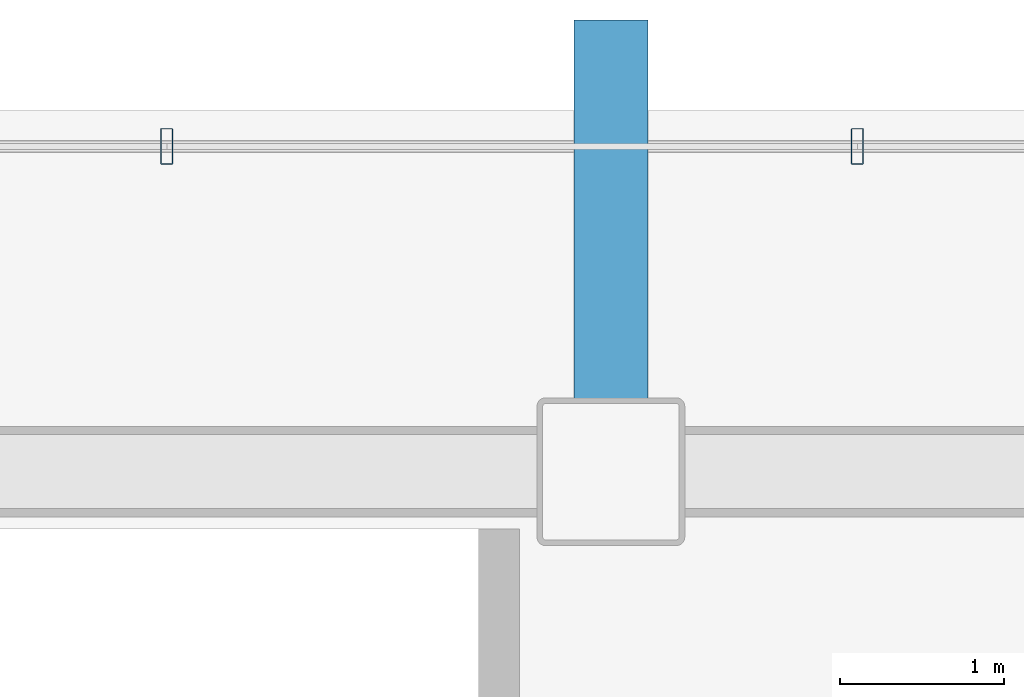
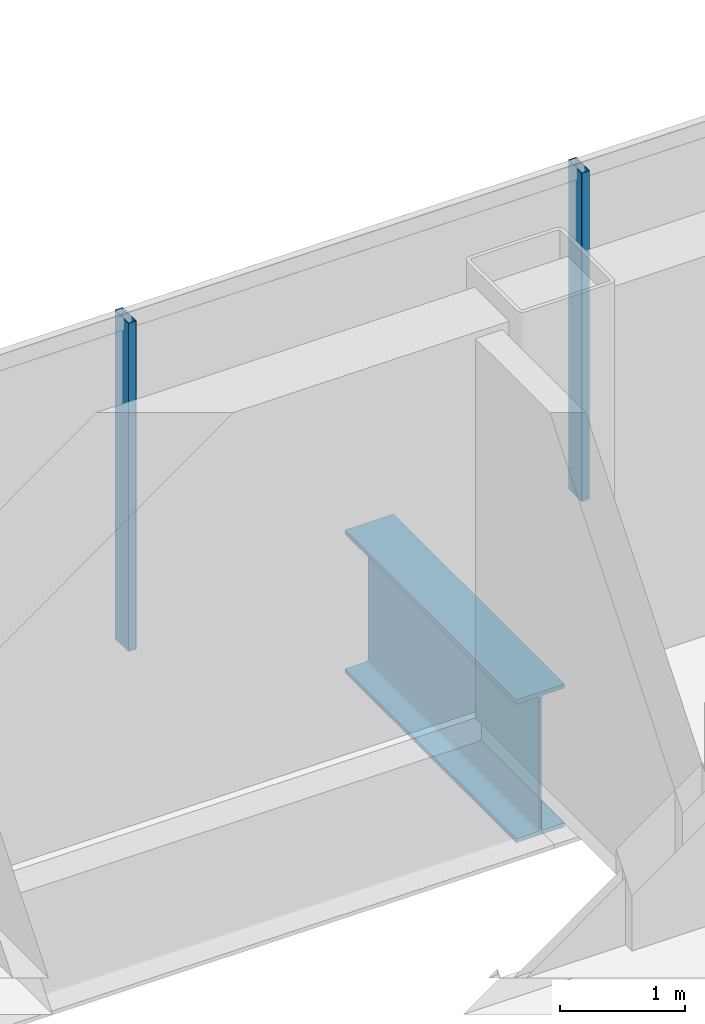
# One storey, part 11 of 24: 2 members, 1 beam, 1 element without a shape of its own.
"""IFC4 building model written with IfcOpenShell, lengths in metres."""

from ifc_helpers import new_model, si_unit, direction, frame, origin, origin_2d, place, context, subcontext, project, spatial, hollow_rectangle, i_section, extrude, material, material_profile, profile_set, type_object, element, aggregate, save


model = new_model("IFC4")

# Units and contexts
model_context = context("Model", 3, precision=1e-05, world=origin(), true_north=direction((0.0, 1.0)))
body_context = subcontext(model_context, "Body", "Model", "MODEL_VIEW")
ifc_project = project(units=[si_unit("LENGTHUNIT", "METRE"), si_unit("AREAUNIT", "SQUARE_METRE"), si_unit("VOLUMEUNIT", "CUBIC_METRE"), si_unit("PLANEANGLEUNIT", "RADIAN"), si_unit("MASSUNIT", "GRAM", prefix="KILO")], contexts=[model_context])

# Site, building, storey
site_placement = place(None, origin())
site = spatial("IfcSite", under=ifc_project, at=site_placement, CompositionType="ELEMENT")
building_placement = place(site_placement, origin())
building = spatial("IfcBuilding", under=site, at=building_placement, Name="Noeulbin Bourse Tower", CompositionType="ELEMENT")
storey_placement = place(building_placement, frame((0.0, 0.0, 114.89990234375)))
storey = spatial("IfcBuildingStorey", under=building, at=storey_placement, Name="L28", CompositionType="ELEMENT", Elevation=114.89990234375)

# Beam
ifc_material_1 = material(Name="Steel S460", Category="steel")
ifc_material_profile_1 = material_profile(ifc_material_1, i_section(OverallWidth=0.449951171875, OverallDepth=1.39990234375, WebThickness=0.02392578125, FlangeThickness=0.0400390625, FilletRadius=0.02392578125, at=origin_2d()), Name="PG-1400x450x24x40", Category="LoadBearing")
ifc_profile_set_1 = profile_set([ifc_material_profile_1], Name="Steel S460")
beam_type = type_object("IfcBeamType", Name="BM-TRF-1400", PredefinedType="USERDEFINED", material=ifc_profile_set_1)
beam_placement = place(storey_placement, frame((24.0, 38.300048828125, -0.93994140625), z_axis=(0.0, 1.0, 0.0), x_axis=(-1.0, 0.0, 0.0)))
element("IfcBeam", 1, at=beam_placement, inside=storey, type_object=beam_type, Name="Tower Primary Girder NS L28-2.4", ObjectType="GIRDER", PredefinedType="USERDEFINED", context=body_context, shape_type="SweptSolid", body=[
    extrude(i_section(OverallWidth=0.449951171875, OverallDepth=1.39990234375, WebThickness=0.02392578125, FlangeThickness=0.0400390625, FilletRadius=0.02392578125, at=origin_2d()), origin(), (0.0, 0.0, 1.0), 2.75),
])

# Curtain wall, members
ifc_material_2 = material(Name="Dark Tinted Triple Glazing", Category="glass")
curtain_wall_type = type_object("IfcCurtainWallType", Name="CW-SYS-3", PredefinedType="NOTDEFINED", material=ifc_material_2)
curtain_wall_placement = place(storey_placement, origin())
curtain_wall = element("IfcCurtainWall", 2, at=curtain_wall_placement, inside=storey, type_object=curtain_wall_type, Name="Unitised Curtain Wall CW-L28-N", PredefinedType="NOTDEFINED")
ifc_material_3 = material(Name="Anodised Aluminium 6063-T6", Category="aluminium")
ifc_material_profile_2 = material_profile(ifc_material_3, hollow_rectangle(XDim=0.074951171875, YDim=0.219970703125, WallThickness=0.0048828125, InnerFilletRadius=0.00244140625, OuterFilletRadius=0.0048828125, at=origin_2d()), Name="ALU-MULL-75x220x5", Category="LoadBearing")
ifc_profile_set_2 = profile_set([ifc_material_profile_2], Name="Anodised Aluminium 6063-T6")
member_type = type_object("IfcMemberType", Name="CW-SYS-3-MUL", PredefinedType="MULLION", material=ifc_profile_set_2)
member_1_placement = place(storey_placement, frame((21.2958984375, 40.280029296875, -0.02001953125), z_axis=(0.0, 0.0, 1.0), x_axis=(1.0, 0.0, 0.0)))
member_1 = element("IfcMember", 3, at=member_1_placement, type_object=member_type, Name="Curtain Wall Mullion CW-L28-N-M04", PredefinedType="MULLION", context=body_context, shape_type="SweptSolid", body=[
    extrude(hollow_rectangle(XDim=0.074951171875, YDim=0.219970703125, WallThickness=0.0048828125, InnerFilletRadius=0.00244140625, OuterFilletRadius=0.0048828125, at=origin_2d()), origin(), (0.0, 0.0, 1.0), 3.22021484375),
])
member_2_placement = place(storey_placement, frame((25.5, 40.280029296875, -0.02001953125), z_axis=(0.0, 0.0, 1.0), x_axis=(1.0, 0.0, 0.0)))
member_2 = element("IfcMember", 4, at=member_2_placement, type_object=member_type, Name="Curtain Wall Mullion CW-L28-N-M05", PredefinedType="MULLION", context=body_context, shape_type="SweptSolid", body=[
    extrude(hollow_rectangle(XDim=0.074951171875, YDim=0.219970703125, WallThickness=0.0048828125, InnerFilletRadius=0.00244140625, OuterFilletRadius=0.0048828125, at=origin_2d()), origin(), (0.0, 0.0, 1.0), 3.22021484375),
])
aggregate(curtain_wall, [member_1, member_2])

save(model, "model.ifc")
